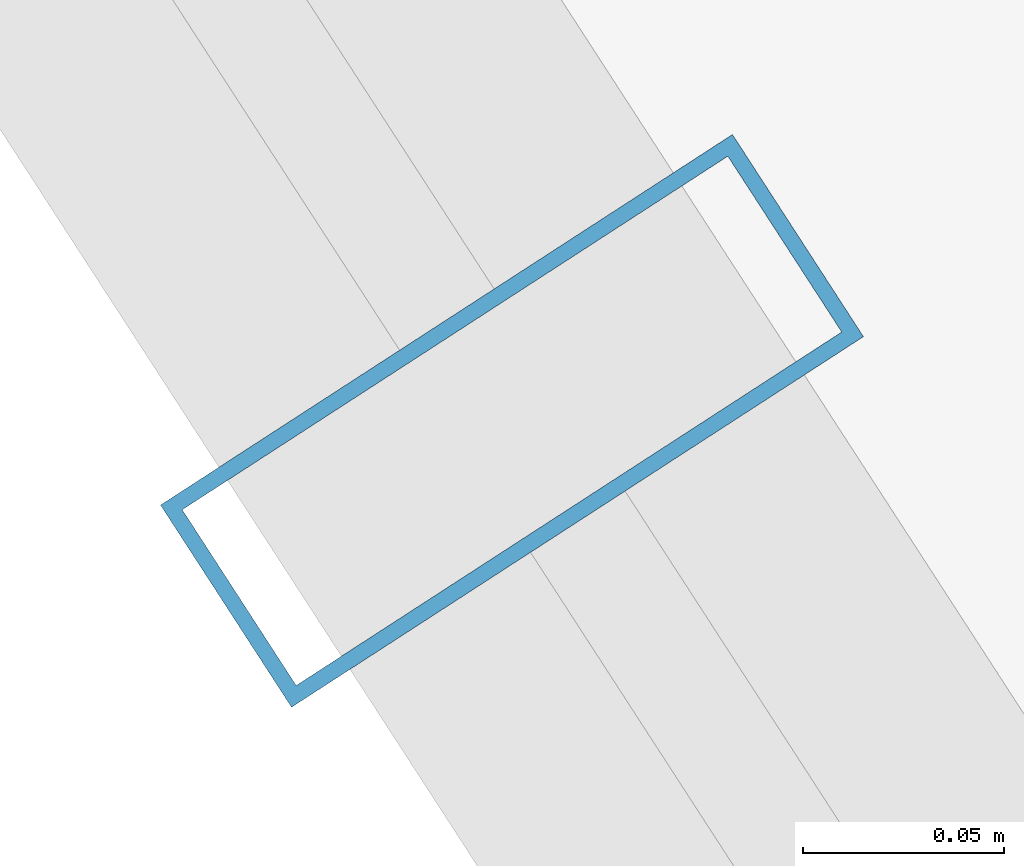
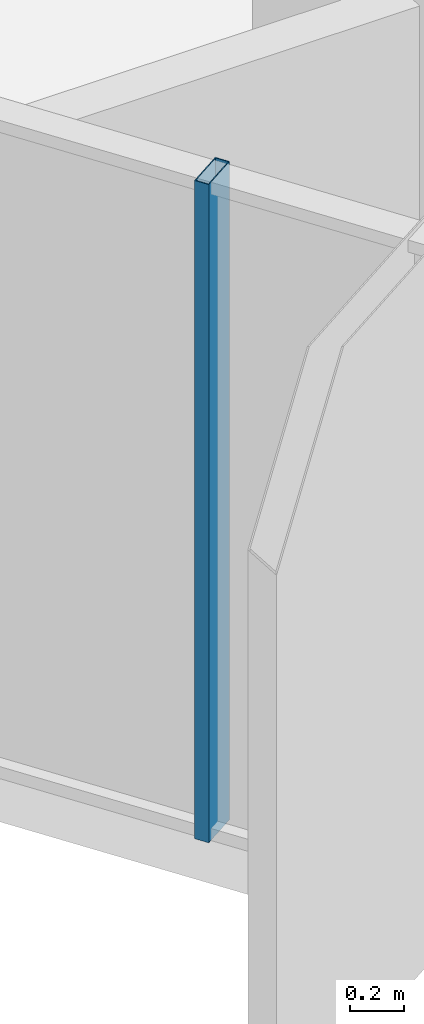
# One storey, part 4 of 37: 1 member, 1 element without a shape of its own.
"""IFC4 building model written with IfcOpenShell, lengths in metres."""

from ifc_helpers import new_model, si_unit, direction, frame, origin, origin_2d, place, context, subcontext, project, spatial, hollow_rectangle, extrude, source, transform, mapped, material, layer, layer_set, material_profile, profile_set, type_object, element, aggregate, save


model = new_model("IFC4")

# Units and contexts
model_context = context("Model", 3, precision=1e-05, world=origin(), true_north=direction((0.0, 1.0)))
body_context = subcontext(model_context, "Body", "Model", "MODEL_VIEW")
ifc_project = project(units=[si_unit("LENGTHUNIT", "METRE"), si_unit("AREAUNIT", "SQUARE_METRE"), si_unit("VOLUMEUNIT", "CUBIC_METRE"), si_unit("PLANEANGLEUNIT", "RADIAN"), si_unit("MASSUNIT", "GRAM", prefix="KILO")], contexts=[model_context])

# Site, building, storey
site_placement = place(None, origin())
site = spatial("IfcSite", under=ifc_project, at=site_placement, CompositionType="ELEMENT")
building_placement = place(site_placement, origin())
building = spatial("IfcBuilding", under=site, at=building_placement, Name="Veraguas Prism Commons", CompositionType="ELEMENT")
storey_placement = place(building_placement, frame((0.0, 0.0, 33.800048828125)))
storey = spatial("IfcBuildingStorey", under=building, at=storey_placement, Name="L08", CompositionType="ELEMENT", Elevation=33.800048828125)

# Curtain wall, member
ifc_material = material(Name="Anodised aluminium EN AW-6063 T6", Category="aluminium")
ifc_layer = layer(ifc_material, 0.169921875, Name="Unitised Flush Curtain Wall Zone 1", Category="aluminium")
ifc_layer_set = layer_set([ifc_layer], Name="Anodised aluminium EN AW-6063 T6")
curtain_wall_type = type_object("IfcCurtainWallType", Name="Unitised Flush Curtain Wall Zone 1", PredefinedType="NOTDEFINED", material=ifc_layer_set)
curtain_wall_placement = place(storey_placement, origin())
curtain_wall = element("IfcCurtainWall", 1, at=curtain_wall_placement, inside=storey, type_object=curtain_wall_type, Name="Tower Facade Curtain Wall L08-F4", PredefinedType="NOTDEFINED")
ifc_material_profile = material_profile(ifc_material, hollow_rectangle(XDim=0.06005859375, YDim=0.169921875, WallThickness=0.00390625, at=origin_2d()), Name="AL60X170X4")
ifc_profile_set = profile_set([ifc_material_profile], Name="Anodised aluminium EN AW-6063 T6")
member_type = type_object("IfcMemberType", Name="Curtain Wall Mullion Lower AL 60x170x4", PredefinedType="MULLION", material=ifc_profile_set)
shared_shape = source(origin(), body_context, "Body", "SweptSolid", [
    extrude(hollow_rectangle(XDim=0.06005859375, YDim=0.169921875, WallThickness=0.00390625, at=origin_2d()), origin(), (0.0, 0.0, 1.0), 3.0),
])
member_placement = place(storey_placement, frame((4.016845703125, 16.6181640625, 0.0), z_axis=(0.0, 0.0, 1.0), x_axis=(0.543766341769, -0.839236656468, 0.0)))
member = element("IfcMember", 2, at=member_placement, type_object=member_type, Name="CW-Z1 Mullion 2", PredefinedType="MULLION", context=body_context, shape_type="MappedRepresentation", body=[
    mapped(shared_shape, transform((0.0, 0.0, 0.0), scale=1.0)),
])
aggregate(curtain_wall, [member])

save(model, "model.ifc")
